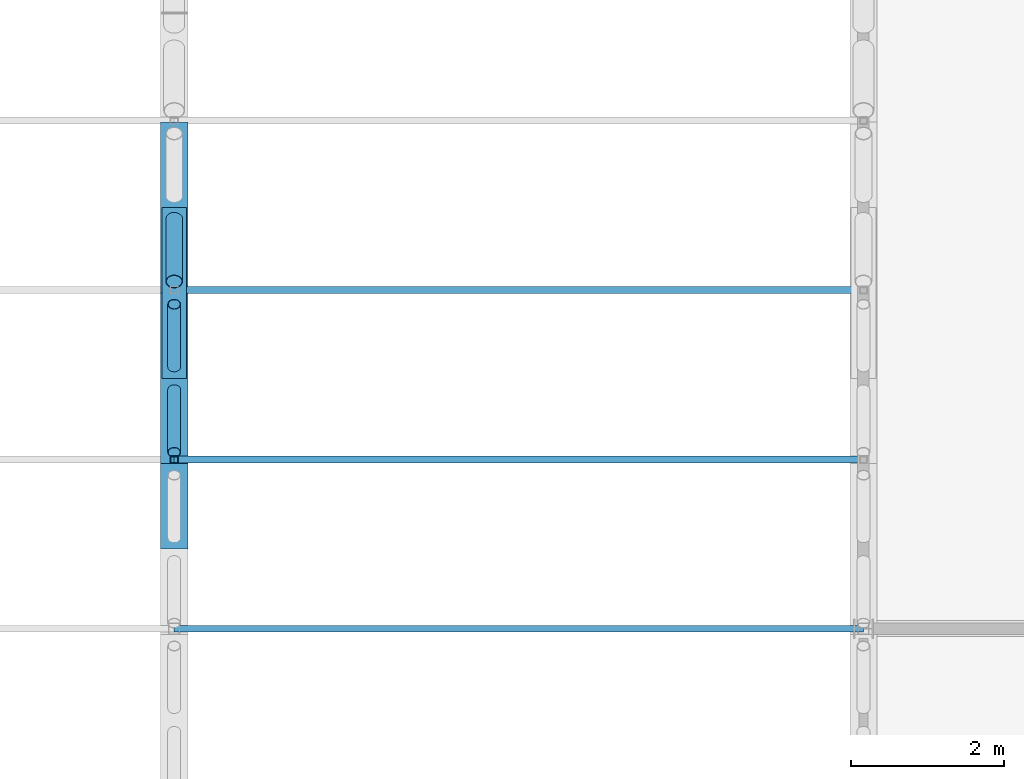
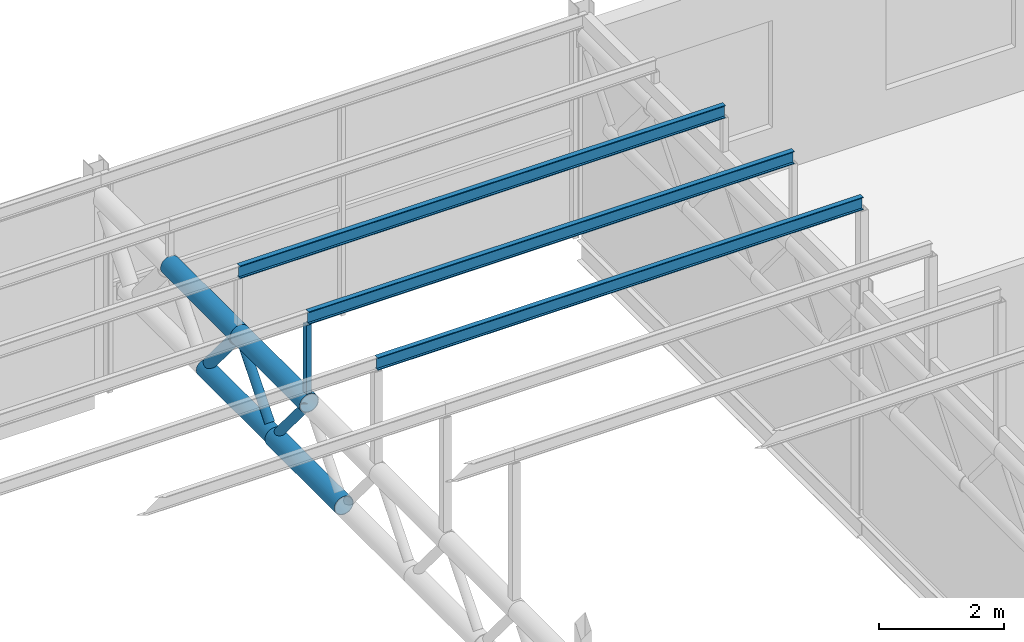
# One storey, part 78 of 138: 11 members.
"""IFC4 building model written with IfcOpenShell, lengths in metres."""

from ifc_helpers import new_model, si_unit, direction, frame, origin, origin_2d, place, context, subcontext, project, spatial, hollow_rectangle, hollow_circle, i_section, extrude, material, material_profile, profile_set, type_object, element, save


model = new_model("IFC4")

# Units and contexts
model_context = context("Model", 3, precision=1e-05, world=origin(), true_north=direction((0.0, 1.0)))
body_context = subcontext(model_context, "Body", "Model", "MODEL_VIEW")
ifc_project = project(units=[si_unit("LENGTHUNIT", "METRE"), si_unit("AREAUNIT", "SQUARE_METRE"), si_unit("VOLUMEUNIT", "CUBIC_METRE"), si_unit("PLANEANGLEUNIT", "RADIAN"), si_unit("MASSUNIT", "GRAM", prefix="KILO")], contexts=[model_context])

# Site, building, storey
site_placement = place(None, origin())
site = spatial("IfcSite", under=ifc_project, at=site_placement, CompositionType="ELEMENT")
building_placement = place(site_placement, origin())
building = spatial("IfcBuilding", under=site, at=building_placement, Name="Corbel Yard City Hall", CompositionType="ELEMENT")
storey_placement = place(building_placement, frame((0.0, 0.0, 10.5)))
storey = spatial("IfcBuildingStorey", under=building, at=storey_placement, Name="L02", CompositionType="ELEMENT", Elevation=10.5)

# Members
ifc_material_1 = material(Name="Steel Grade C350L0", Category="steel")
ifc_material_profile_1 = material_profile(ifc_material_1, hollow_circle(Radius=0.161865234375, WallThickness=0.0126953125, at=origin_2d()), Name="323.9x12.7CHS")
ifc_profile_set_1 = profile_set([ifc_material_profile_1], Name="Steel Grade C350L0")
member_type_1 = type_object("IfcMemberType", Name="Hall roof truss bottom chord 323.9x12.7CHS", PredefinedType="CHORD", material=ifc_profile_set_1)
member_1_placement = place(storey_placement, frame((153.0, 21.270263671875, 2.59228515625), z_axis=(0.0, 1.0, 0.0), x_axis=(-1.0, 0.0, 0.0)))
element("IfcMember", 1, at=member_1_placement, inside=storey, type_object=member_type_1, Name="Hall roof truss bottom chord 323.9x12.7CHS TC2", PredefinedType="CHORD", context=body_context, shape_type="SweptSolid", body=[
    extrude(hollow_circle(Radius=0.161865234375, WallThickness=0.0126953125, at=origin_2d()), origin(), (0.0, 0.0, 1.0), 2.230712890625),
])
ifc_material_profile_2 = material_profile(ifc_material_1, hollow_circle(Radius=0.177734375, WallThickness=0.0126953125, at=origin_2d()), Name="355.6x12.7CHS")
ifc_profile_set_2 = profile_set([ifc_material_profile_2], Name="Steel Grade C350L0")
member_type_2 = type_object("IfcMemberType", Name="Hall roof truss bottom chord 355.6x12.7CHS", PredefinedType="CHORD", material=ifc_profile_set_2)
member_2_placement = place(storey_placement, frame((153.0, 19.039306640625, 2.59228515625), z_axis=(0.0, 1.0, 0.0), x_axis=(-1.0, 0.0, 0.0)))
element("IfcMember", 2, at=member_2_placement, inside=storey, type_object=member_type_2, Name="Hall roof truss bottom chord 355.6x12.7CHS TC3", PredefinedType="CHORD", context=body_context, shape_type="SweptSolid", body=[
    extrude(hollow_circle(Radius=0.177734375, WallThickness=0.0126953125, at=origin_2d()), origin(), (0.0, 0.0, 1.0), 2.23095703125),
])
ifc_material_profile_3 = material_profile(ifc_material_1, hollow_circle(Radius=0.084228515625, WallThickness=0.007080078125, at=origin_2d()), Name="168.3x7.1CHS")
ifc_profile_set_3 = profile_set([ifc_material_profile_3], Name="Steel Grade C350L0")
member_type_3 = type_object("IfcMemberType", Name="Hall roof truss diagonal 168.3x7.1CHS", PredefinedType="STRUT", material=ifc_profile_set_3)
for number, where, z_axis, x_axis, name in (
    (3, (153.0, 20.3037109375, 3.744384765625), (0.0, 0.642692233301, -0.766124463292), (-1.0, 0.0, 0.0), "Hall roof truss diagonal 168.3x7.1CHS TD3"),
    (4, (153.0, 21.419189453125, 2.77001953125), (0.0, 0.642692233301, 0.766124463292), (-1.0, 0.0, 0.0), "Hall roof truss diagonal 168.3x7.1CHS TD3"),
):
    element("IfcMember", number, at=place(storey_placement, frame(where, z_axis=z_axis, x_axis=x_axis)), inside=storey, type_object=member_type_3, Name=name, PredefinedType="STRUT", context=body_context, shape_type="SweptSolid", body=[
        extrude(hollow_circle(Radius=0.084228515625, WallThickness=0.007080078125, at=origin_2d()), origin(), (0.0, 0.0, 1.0), 1.271728515625),
    ])
ifc_material_profile_4 = material_profile(ifc_material_1, hollow_circle(Radius=0.109619140625, WallThickness=0.00830078125, at=origin_2d()), Name="219.1x8.2CHS")
ifc_profile_set_4 = profile_set([ifc_material_profile_4], Name="Steel Grade C350L0")
member_type_4 = type_object("IfcMemberType", Name="Hall roof truss diagonal 219.1x8.2CHS", PredefinedType="STRUT", material=ifc_profile_set_4)
member_3_placement = place(storey_placement, frame((153.0, 22.53466796875, 3.744384765625), z_axis=(0.0, 0.642692233301, -0.766124463292), x_axis=(-1.0, 0.0, 0.0)))
element("IfcMember", 5, at=member_3_placement, inside=storey, type_object=member_type_4, Name="Hall roof truss diagonal 219.1x8.2CHS TD2", PredefinedType="STRUT", context=body_context, shape_type="SweptSolid", body=[
    extrude(hollow_circle(Radius=0.109619140625, WallThickness=0.00830078125, at=origin_2d()), origin(), (0.0, 0.0, 1.0), 1.271728515625),
])
ifc_material_profile_5 = material_profile(ifc_material_1, hollow_circle(Radius=0.177734375, WallThickness=0.0126953125, at=origin_2d()), Name="355.6x12.7CHS")
ifc_profile_set_5 = profile_set([ifc_material_profile_5], Name="Steel Grade C350L0")
member_type_5 = type_object("IfcMemberType", Name="Hall roof truss top chord 355.6x12.7CHS", PredefinedType="CHORD", material=ifc_profile_set_5)
member_4_placement = place(storey_placement, frame((153.0, 20.15478515625, 3.922119140625), z_axis=(0.0, 1.0, 0.0), x_axis=(-1.0, 0.0, 0.0)))
element("IfcMember", 6, at=member_4_placement, inside=storey, type_object=member_type_5, Name="Hall roof truss top chord 355.6x12.7CHS TC1", PredefinedType="CHORD", context=body_context, shape_type="SweptSolid", body=[
    extrude(hollow_circle(Radius=0.177734375, WallThickness=0.0126953125, at=origin_2d()), origin(), (0.0, 0.0, 1.0), 2.23095703125),
])
member_5_placement = place(storey_placement, frame((153.0, 22.3857421875, 3.922119140625), z_axis=(0.0, 1.0, 0.0), x_axis=(-1.0, 0.0, 0.0)))
element("IfcMember", 7, at=member_5_placement, inside=storey, type_object=member_type_5, Name="Hall roof truss top chord 355.6x12.7CHS TC1", PredefinedType="CHORD", context=body_context, shape_type="SweptSolid", body=[
    extrude(hollow_circle(Radius=0.177734375, WallThickness=0.0126953125, at=origin_2d()), origin(), (0.0, 0.0, 1.0), 2.230712890625),
])
ifc_material_2 = material(Name="Steel Grade 300 (300 MPa yield)", Category="steel")
ifc_material_profile_6 = material_profile(ifc_material_2, i_section(OverallWidth=0.090087890625, OverallDepth=0.25, WebThickness=0.008056640625, FlangeThickness=0.014892578125, at=origin_2d()), Name="250PFC")
ifc_profile_set_6 = profile_set([ifc_material_profile_6], Name="Steel Grade 300 (300 MPa yield)")
member_type_6 = type_object("IfcMemberType", Name="Purlin 250PFC", PredefinedType="PURLIN", material=ifc_profile_set_6)
for number, where, z_axis, x_axis, name in (
    (8, (153.0, 18.0, 6.01611328125), (1.0, 0.0, 0.0), (0.0, 1.0, 0.0), "Purlin 250PFC PU1"),
    (9, (153.0, 20.2119140625, 5.57373046875), (1.0, 0.0, 0.0), (0.0, 1.0, 0.0), "Purlin 250PFC PU1"),
    (10, (153.0, 22.423828125, 5.13134765625), (1.0, 0.0, 0.0), (0.0, 1.0, 0.0), "Purlin 250PFC PU1"),
):
    element("IfcMember", number, at=place(storey_placement, frame(where, z_axis=z_axis, x_axis=x_axis)), inside=storey, type_object=member_type_6, Name=name, PredefinedType="PURLIN", context=body_context, shape_type="SweptSolid", body=[
        extrude(i_section(OverallWidth=0.090087890625, OverallDepth=0.25, WebThickness=0.008056640625, FlangeThickness=0.014892578125, at=origin_2d()), origin(), (0.0, 0.0, 1.0), 9.0),
    ])
ifc_material_3 = material(Name="Steel Grade C450L0", Category="steel")
ifc_material_profile_7 = material_profile(ifc_material_3, hollow_rectangle(XDim=0.10009765625, YDim=0.10009765625, WallThickness=0.006103515625, at=origin_2d()), Name="100x100x6.0SHS")
ifc_profile_set_7 = profile_set([ifc_material_profile_7], Name="Steel Grade C450L0")
member_type_7 = type_object("IfcMemberType", Name="Roof post 100x100x6.0SHS", PredefinedType="POST", material=ifc_profile_set_7)
member_6_placement = place(storey_placement, frame((153.0, 20.2119140625, 4.10009765625), z_axis=(0.0, 0.0, 1.0), x_axis=(1.0, 0.0, 0.0)))
element("IfcMember", 11, at=member_6_placement, inside=storey, type_object=member_type_7, Name="Roof post 100x100x6.0SHS RP3", PredefinedType="POST", context=body_context, shape_type="SweptSolid", body=[
    extrude(hollow_rectangle(XDim=0.10009765625, YDim=0.10009765625, WallThickness=0.006103515625, at=origin_2d()), origin(), (0.0, 0.0, 1.0), 1.3486328125),
])

save(model, "model.ifc")
